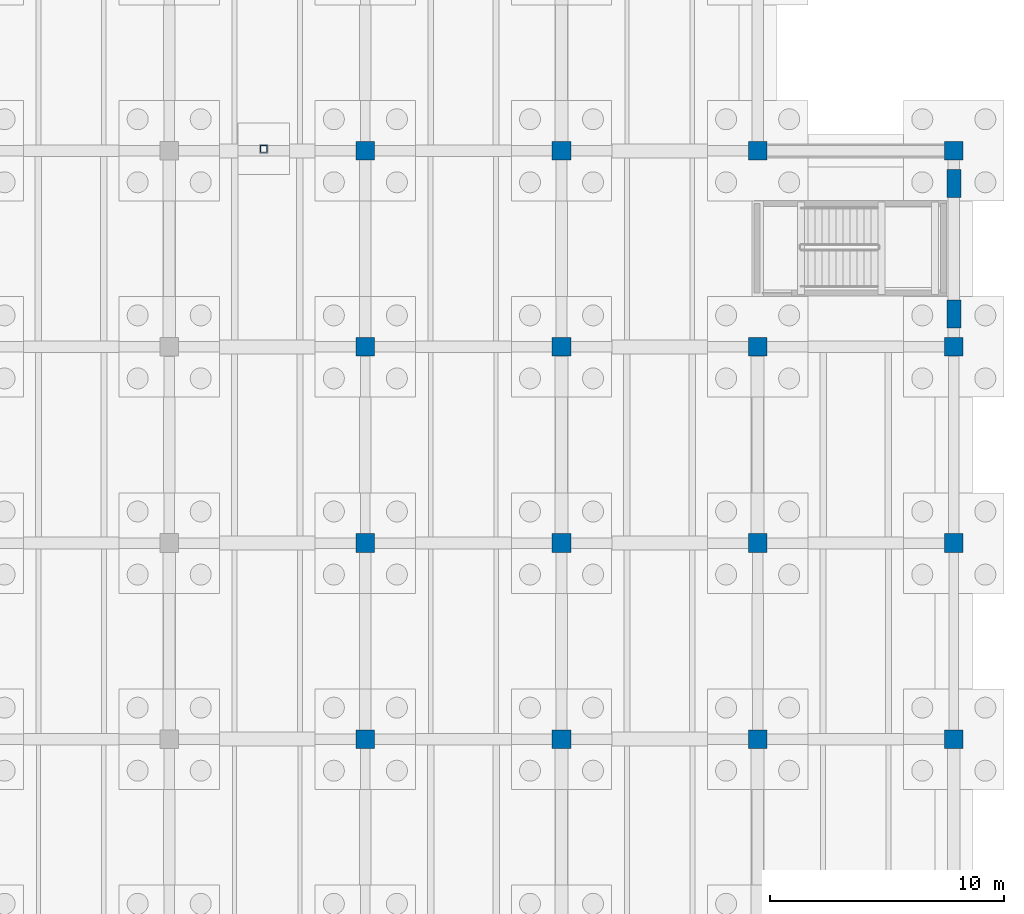
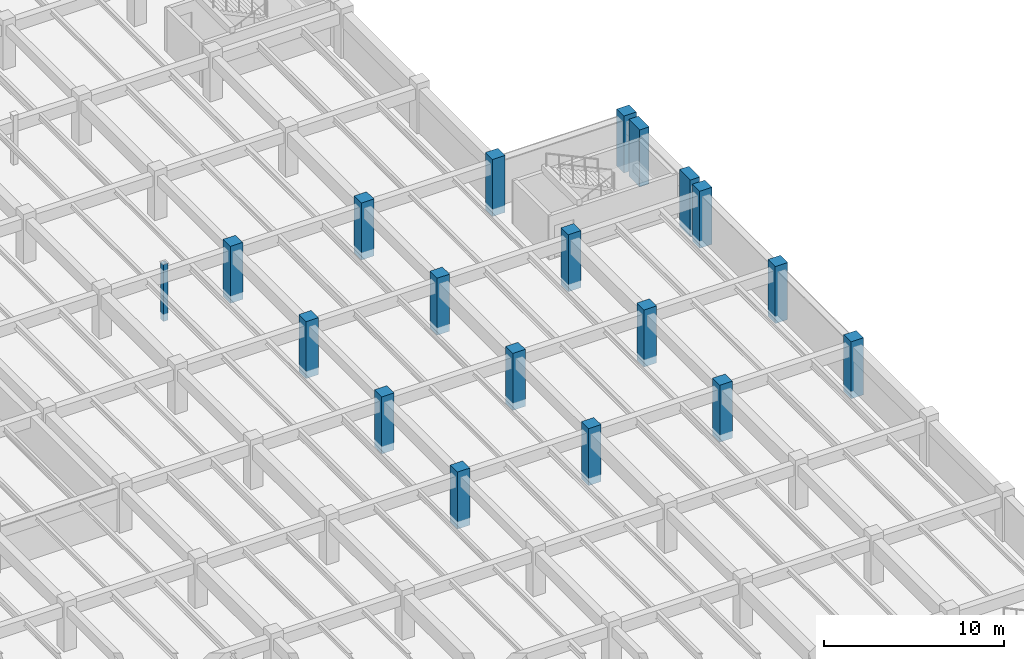
# One storey, part 22 of 70: 19 columns.
"""IFC4 building model written with IfcOpenShell, lengths in metres."""

from ifc_helpers import new_model, si_unit, direction, frame, origin, origin_2d, place, context, subcontext, project, spatial, rectangle, hollow_rectangle, extrude, material, material_profile, profile_set, type_object, element, save


model = new_model("IFC4")

# Units and contexts
model_context = context("Model", 3, precision=1e-05, world=origin(), true_north=direction((0.0, 1.0)))
body_context = subcontext(model_context, "Body", "Model", "MODEL_VIEW")
ifc_project = project(units=[si_unit("LENGTHUNIT", "METRE"), si_unit("AREAUNIT", "SQUARE_METRE"), si_unit("VOLUMEUNIT", "CUBIC_METRE"), si_unit("PLANEANGLEUNIT", "RADIAN"), si_unit("MASSUNIT", "GRAM", prefix="KILO")], contexts=[model_context])

# Site, building, storey
site_placement = place(None, origin())
site = spatial("IfcSite", under=ifc_project, at=site_placement, CompositionType="ELEMENT")
building_placement = place(site_placement, origin())
building = spatial("IfcBuilding", under=site, at=building_placement, Name="Cumbredor Promenade Congress Hotel", CompositionType="ELEMENT")
storey_placement = place(building_placement, frame((0.0, 0.0, -7.56005859375)))
storey = spatial("IfcBuildingStorey", under=building, at=storey_placement, Name="B02", CompositionType="ELEMENT", Elevation=-7.56005859375)

# Columns
ifc_material_1 = material(Name="Concrete C50/60", Category="concrete")
ifc_material_profile_1 = material_profile(ifc_material_1, rectangle(XDim=0.800048828125, YDim=0.800048828125, at=origin_2d()), Name="RC 800x800")
ifc_profile_set_1 = profile_set([ifc_material_profile_1], Name="Concrete C50/60")
column_type_1 = type_object("IfcColumnType", Name="COL-RC-800", PredefinedType="COLUMN", material=ifc_profile_set_1)
for number, where, z_axis, x_axis, name in (
    (1, (159.60009765625, 42.0, -0.5), (0.0, 0.0, 1.0), (1.0, 0.0, 0.0), "B02 Structural Column 258"),
    (2, (159.60009765625, 50.39990234375, -0.5), (0.0, 0.0, 1.0), (1.0, 0.0, 0.0), "B02 Structural Column 259"),
    (3, (159.60009765625, 58.800048828125, -0.5), (0.0, 0.0, 1.0), (1.0, 0.0, 0.0), "B02 Structural Column 260"),
    (4, (159.60009765625, 67.199951171875, -0.5), (0.0, 0.0, 1.0), (1.0, 0.0, 0.0), "B02 Structural Column 261"),
    (5, (168.0, 42.0, -0.5), (0.0, 0.0, 1.0), (1.0, 0.0, 0.0), "B02 Structural Column 272"),
    (6, (168.0, 50.39990234375, -0.5), (0.0, 0.0, 1.0), (1.0, 0.0, 0.0), "B02 Structural Column 273"),
    (7, (168.0, 58.800048828125, -0.5), (0.0, 0.0, 1.0), (1.0, 0.0, 0.0), "B02 Structural Column 274"),
    (8, (168.0, 67.199951171875, -0.5), (0.0, 0.0, 1.0), (1.0, 0.0, 0.0), "B02 Structural Column 275"),
    (9, (176.39990234375, 42.0, -0.5), (0.0, 0.0, 1.0), (1.0, 0.0, 0.0), "B02 Structural Column 286"),
    (10, (176.39990234375, 50.39990234375, -0.5), (0.0, 0.0, 1.0), (1.0, 0.0, 0.0), "B02 Structural Column 287"),
    (11, (176.39990234375, 58.800048828125, -0.5), (0.0, 0.0, 1.0), (1.0, 0.0, 0.0), "B02 Structural Column 288"),
    (12, (176.39990234375, 67.199951171875, -0.5), (0.0, 0.0, 1.0), (1.0, 0.0, 0.0), "B02 Structural Column 289"),
    (13, (184.800048828125, 42.0, -0.5), (0.0, 0.0, 1.0), (1.0, 0.0, 0.0), "B02 Structural Column 300"),
    (14, (184.800048828125, 50.39990234375, -0.5), (0.0, 0.0, 1.0), (1.0, 0.0, 0.0), "B02 Structural Column 301"),
    (15, (184.800048828125, 58.800048828125, -0.5), (0.0, 0.0, 1.0), (1.0, 0.0, 0.0), "B02 Structural Column 302"),
    (16, (184.800048828125, 67.199951171875, -0.5), (0.0, 0.0, 1.0), (1.0, 0.0, 0.0), "B02 Structural Column 303"),
):
    element("IfcColumn", number, at=place(storey_placement, frame(where, z_axis=z_axis, x_axis=x_axis)), inside=storey, type_object=column_type_1, Name=name, PredefinedType="COLUMN", context=body_context, shape_type="SweptSolid", body=[
        extrude(rectangle(XDim=0.800048828125, YDim=0.800048828125, at=origin_2d()), origin(), (0.0, 0.0, 1.0), 3.860107421875),
    ])
ifc_material_2 = material(Name="Steel ASTM A500 Grade C", Category="steel")
ifc_material_profile_2 = material_profile(ifc_material_2, hollow_rectangle(XDim=0.300048828125, YDim=0.300048828125, WallThickness=0.01611328125, at=origin_2d()), Name="HSS 300x300x16")
ifc_profile_set_2 = profile_set([ifc_material_profile_2], Name="Steel ASTM A500 Grade C")
column_type_2 = type_object("IfcColumnType", Name="COL-STL-HSS300", PredefinedType="COLUMN", material=ifc_profile_set_2)
column_placement = place(storey_placement, frame((155.25, 67.280029296875, -0.5), z_axis=(0.0, 0.0, 1.0), x_axis=(1.0, 0.0, 0.0)))
element("IfcColumn", 17, at=column_placement, inside=storey, type_object=column_type_2, Name="East Ballroom-to-Forum Glazed Bridge B02 Substructure Pier 2", PredefinedType="COLUMN", context=body_context, shape_type="SweptSolid", body=[
    extrude(hollow_rectangle(XDim=0.300048828125, YDim=0.300048828125, WallThickness=0.01611328125, at=origin_2d()), origin(), (0.0, 0.0, 1.0), 3.860107421875),
])
ifc_material_profile_3 = material_profile(ifc_material_1, rectangle(XDim=0.60009765625, YDim=1.199951171875, at=origin_2d()), Name="RC PILASTER 1200x600")
ifc_profile_set_3 = profile_set([ifc_material_profile_3], Name="Concrete C50/60")
column_type_3 = type_object("IfcColumnType", Name="PIL-RC-1200x600", PredefinedType="PILASTER", material=ifc_profile_set_3)
for number, where, z_axis, x_axis, name in (
    (18, (184.800048828125, 60.199951171875, -0.5), (0.0, 0.0, 1.0), (1.0, 0.0, 0.0), "B02 Acoustic Seismic Pilaster 007"),
    (19, (184.800048828125, 65.800048828125, -0.5), (0.0, 0.0, 1.0), (1.0, 0.0, 0.0), "B02 Acoustic Seismic Pilaster 008"),
):
    element("IfcColumn", number, at=place(storey_placement, frame(where, z_axis=z_axis, x_axis=x_axis)), inside=storey, type_object=column_type_3, Name=name, PredefinedType="PILASTER", context=body_context, shape_type="SweptSolid", body=[
        extrude(rectangle(XDim=0.60009765625, YDim=1.199951171875, at=origin_2d()), origin(), (0.0, 0.0, 1.0), 3.860107421875),
    ])

save(model, "model.ifc")
